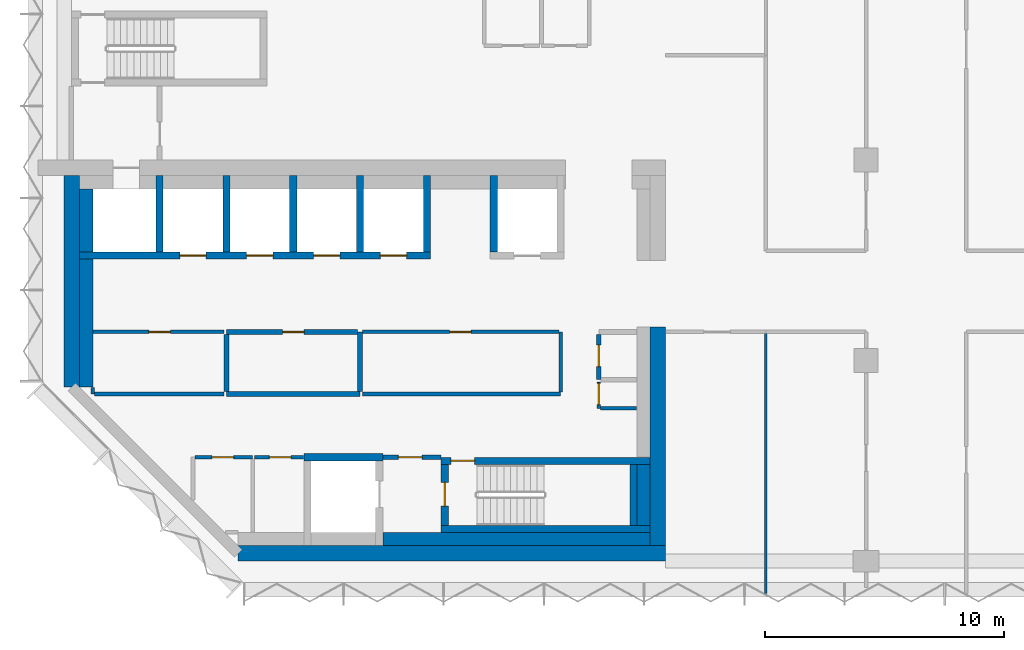
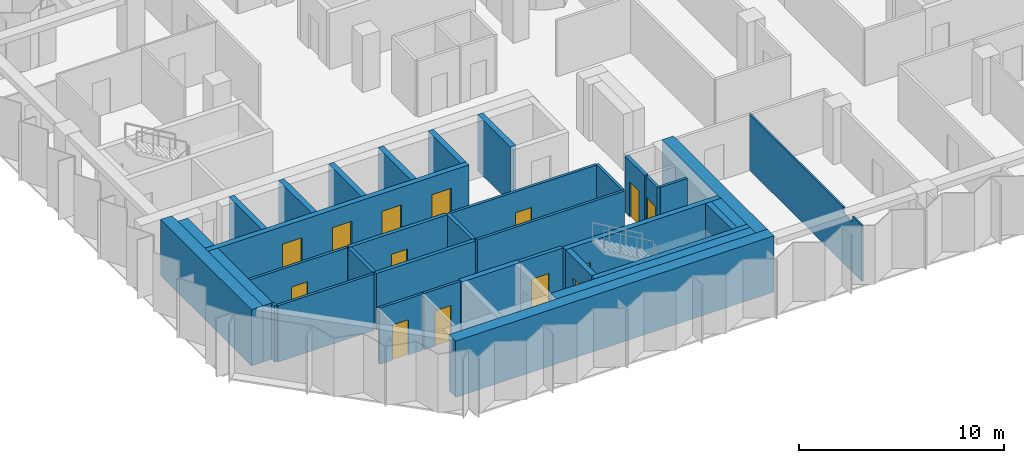
# One storey, part 5 of 10: 36 walls, 14 doors, 14 openings.
"""IFC4 building model written with IfcOpenShell, lengths in metres."""

from ifc_helpers import new_model, si_unit, direction, frame, frame_2d, origin, place, context, subcontext, project, spatial, polyline, rectangle, outline, extrude, material, layer, layer_set, type_object, element, fill, save


model = new_model("IFC4")

# Units and contexts
model_context = context("Model", 3, precision=1e-05, world=origin(), true_north=direction((0.0, 1.0)))
body_context = subcontext(model_context, "Body", "Model", "MODEL_VIEW")
ifc_project = project(units=[si_unit("LENGTHUNIT", "METRE"), si_unit("AREAUNIT", "SQUARE_METRE"), si_unit("VOLUMEUNIT", "CUBIC_METRE"), si_unit("PLANEANGLEUNIT", "RADIAN"), si_unit("MASSUNIT", "GRAM", prefix="KILO")], contexts=[model_context])

# Site, building, storey
site_placement = place(None, origin())
site = spatial("IfcSite", under=ifc_project, at=site_placement, CompositionType="ELEMENT")
building_placement = place(site_placement, origin())
building = spatial("IfcBuilding", under=site, at=building_placement, Name="Brevane Broadcast Tower", CompositionType="ELEMENT")
storey_placement = place(building_placement, frame((0.0, 0.0, 170.39990234375)))
storey = spatial("IfcBuildingStorey", under=building, at=storey_placement, Name="L42", CompositionType="ELEMENT", Elevation=170.39990234375)

# Walls
ifc_material_1 = material(Name="Concrete C32/40", Category="concrete")
ifc_layer_1 = layer(ifc_material_1, 0.550048828125)
ifc_layer_set_1 = layer_set([ifc_layer_1], Name="Core chase wall 550 mm")
wall_type_1 = type_object("IfcWallType", Name="Core chase wall 550 mm", PredefinedType="PARTITIONING", material=ifc_layer_set_1)
wall_1_placement = place(storey_placement, frame((0.925048828125, 7.286376953125, 0.0), z_axis=(0.0, 0.0, 1.0), x_axis=(0.0, 1.0, 0.0)))
element("IfcWall", 1, at=wall_1_placement, inside=storey, type_object=wall_type_1, Name="L42 chase wall LW-1", PredefinedType="PARTITIONING", context=body_context, shape_type="SweptSolid", body=[
    extrude(rectangle(XDim=5.363525390625, YDim=0.550048828125, at=frame_2d((2.681640625, 0.0))), origin(), (0.0, 0.0, 1.0), 3.35009765625),
])
wall_2_placement = place(storey_placement, frame((0.925048828125, 12.949951171875, 0.0), z_axis=(0.0, 0.0, 1.0), x_axis=(0.0, 1.0, 0.0)))
element("IfcWall", 2, at=wall_2_placement, inside=storey, type_object=wall_type_1, Name="L42 chase wall LW-2", PredefinedType="PARTITIONING", context=body_context, shape_type="SweptSolid", body=[
    extrude(rectangle(XDim=2.650146484375, YDim=0.550048828125, at=frame_2d((1.3251953125, 0.0))), origin(), (0.0, 0.0, 1.0), 3.35009765625),
])
wall_3_placement = place(storey_placement, frame((13.35009765625, 0.925048828125, 0.0), z_axis=(0.0, 0.0, 1.0), x_axis=(1.0, 0.0, 0.0)))
element("IfcWall", 3, at=wall_3_placement, inside=storey, type_object=wall_type_1, Name="L42 chase wall LS-2-2", PredefinedType="PARTITIONING", context=body_context, shape_type="SweptSolid", body=[
    extrude(rectangle(XDim=11.199951171875, YDim=0.550048828125, at=frame_2d((5.60009765625, 0.0))), origin(), (0.0, 0.0, 1.0), 3.35009765625),
])
wall_4_placement = place(storey_placement, frame((24.27490234375, 1.5, 0.0), z_axis=(0.0, 0.0, 1.0), x_axis=(0.0, 1.0, 0.0)))
element("IfcWall", 4, at=wall_4_placement, inside=storey, type_object=wall_type_1, Name="L42 chase wall LE1-2-1", PredefinedType="PARTITIONING", context=body_context, shape_type="SweptSolid", body=[
    extrude(rectangle(XDim=2.550048828125, YDim=0.550048828125, at=frame_2d((1.27490234375, 0.0))), origin(), (0.0, 0.0, 1.0), 3.35009765625),
])

# Wall, opening, door
ifc_material_2 = material(Name="Gypsum board on steel studs", Category="steel")
ifc_layer_2 = layer(ifc_material_2, 0.14990234375)
ifc_layer_set_2 = layer_set([ifc_layer_2], Name="Core fire partition 150 mm")
wall_type_2 = type_object("IfcWallType", Name="Core fire partition 150 mm", PredefinedType="PARTITIONING", material=ifc_layer_set_2)
wall_5_placement = place(storey_placement, frame((5.47509765625, 4.35009765625, 0.0), z_axis=(0.0, 0.0, 1.0), x_axis=(1.0, 0.0, 0.0)))
wall_5 = element("IfcWall", 5, at=wall_5_placement, inside=storey, type_object=wall_type_2, Name="L42 partition wall P12", PredefinedType="PARTITIONING", context=body_context, shape_type="SweptSolid", body=[
    extrude(rectangle(XDim=2.4248046875, YDim=0.14990234375, at=frame_2d((1.21240234375, 0.0))), origin(), (0.0, 0.0, 1.0), 3.35009765625),
])
opening_1_placement = place(wall_5_placement, frame((0.72509765625, 0.0, 0.0)))
opening_1 = element("IfcOpeningElement", 6, at=opening_1_placement, cuts=wall_5, Name="Opening L42-K14", PredefinedType="OPENING", context=body_context, shape_type="SweptSolid", body=[
    extrude(rectangle(XDim=0.89990234375, YDim=2.10009765625, at=frame_2d((0.449951171875, 1.050048828125))), frame((0.0, 0.0849609375, 0.0), z_axis=(0.0, -1.0, 0.0), x_axis=(1.0, 0.0, 0.0)), (0.0, 0.0, 1.0), 0.169921875),
])
ifc_material_3 = material(Name="Timber", Category="wood")
door_type_1 = type_object("IfcDoorType", Name="Toilet door 900 x 2100", OperationType="SINGLE_SWING_LEFT", PredefinedType="DOOR", material=ifc_material_3)
door_1_placement = place(opening_1_placement, origin())
door_1 = element("IfcDoor", 7, at=door_1_placement, inside=storey, type_object=door_type_1, Name="Door L42-K14", OperationType="SINGLE_SWING_LEFT", OverallHeight=2.10009765625, OverallWidth=0.89990234375, PredefinedType="DOOR", context=body_context, shape_type="SweptSolid", body=[
    extrude(rectangle(XDim=0.89990234375, YDim=2.10009765625, at=frame_2d((0.449951171875, 1.050048828125))), frame((0.0, 0.02490234375, 0.0), z_axis=(0.0, -1.0, 0.0), x_axis=(1.0, 0.0, 0.0)), (0.0, 0.0, 1.0), 0.050048828125),
])
fill(opening_1, door_1)

wall_6_placement = place(storey_placement, frame((6.699951171875, 9.60009765625, 0.0), z_axis=(0.0, 0.0, 1.0), x_axis=(-1.0, 0.0, 0.0)))
wall_6 = element("IfcWall", 8, at=wall_6_placement, inside=storey, type_object=wall_type_2, Name="L42 partition wall P15", PredefinedType="PARTITIONING", context=body_context, shape_type="SweptSolid", body=[
    extrude(rectangle(XDim=5.488037109375, YDim=0.14990234375, at=frame_2d((2.744140625, 0.0))), origin(), (0.0, 0.0, 1.0), 3.35009765625),
])
opening_2_placement = place(wall_6_placement, frame((2.25, 0.0, 0.0)))
opening_2 = element("IfcOpeningElement", 9, at=opening_2_placement, cuts=wall_6, Name="Opening L42-K19", PredefinedType="OPENING", context=body_context, shape_type="SweptSolid", body=[
    extrude(rectangle(XDim=0.89990234375, YDim=2.10009765625, at=frame_2d((0.449951171875, 1.050048828125))), frame((0.0, 0.0849609375, 0.0), z_axis=(0.0, -1.0, 0.0), x_axis=(1.0, 0.0, 0.0)), (0.0, 0.0, 1.0), 0.169921875),
])
ifc_material_4 = material(Name="Steel", Category="steel")
door_type_2 = type_object("IfcDoorType", Name="Service room door 900 x 2100", OperationType="SINGLE_SWING_LEFT", PredefinedType="DOOR", material=ifc_material_4)
door_2_placement = place(opening_2_placement, origin())
door_2 = element("IfcDoor", 10, at=door_2_placement, inside=storey, type_object=door_type_2, Name="Door L42-K19", OperationType="SINGLE_SWING_RIGHT", OverallHeight=2.10009765625, OverallWidth=0.89990234375, PredefinedType="DOOR", context=body_context, shape_type="SweptSolid", body=[
    extrude(rectangle(XDim=0.89990234375, YDim=2.10009765625, at=frame_2d((0.449951171875, 1.050048828125))), frame((0.0, 0.02490234375, 0.0), z_axis=(0.0, -1.0, 0.0), x_axis=(1.0, 0.0, 0.0)), (0.0, 0.0, 1.0), 0.050048828125),
])
fill(opening_2, door_2)

# Walls
wall_7_placement = place(storey_placement, frame((1.199951171875, 7.2744140625, 0.0), z_axis=(0.0, 0.0, 1.0), x_axis=(0.0, -1.0, 0.0)))
element("IfcWall", 11, at=wall_7_placement, inside=storey, type_object=wall_type_2, Name="L42 partition wall P16", PredefinedType="PARTITIONING", context=body_context, shape_type="SweptSolid", body=[
    extrude(rectangle(XDim=0.2744140625, YDim=0.14990234375, at=frame_2d((0.13720703125, 0.0))), origin(), (0.0, 0.0, 1.0), 3.35009765625),
])
wall_8_placement = place(storey_placement, frame((1.27490234375, 7.0, 0.0), z_axis=(0.0, 0.0, 1.0), x_axis=(1.0, 0.0, 0.0)))
element("IfcWall", 12, at=wall_8_placement, inside=storey, type_object=wall_type_2, Name="L42 partition wall P17", PredefinedType="PARTITIONING", context=body_context, shape_type="SweptSolid", body=[
    extrude(rectangle(XDim=5.425048828125, YDim=0.14990234375, at=frame_2d((2.71240234375, 0.0))), origin(), (0.0, 0.0, 1.0), 3.35009765625),
])

# Wall, opening, door
wall_9_placement = place(storey_placement, frame((10.0380859375, 4.35009765625, 0.0), z_axis=(0.0, 0.0, 1.0), x_axis=(-1.0, 0.0, 0.0)))
wall_9 = element("IfcWall", 13, at=wall_9_placement, inside=storey, type_object=wall_type_2, Name="L42 partition wall P18", PredefinedType="PARTITIONING", context=body_context, shape_type="SweptSolid", body=[
    extrude(rectangle(XDim=2.06298828125, YDim=0.14990234375, at=frame_2d((1.031494140625, 0.0))), origin(), (0.0, 0.0, 1.0), 3.35009765625),
])
opening_3_placement = place(wall_9_placement, frame((0.5380859375, 0.0, 0.0)))
opening_3 = element("IfcOpeningElement", 14, at=opening_3_placement, cuts=wall_9, Name="Opening L42-K15", PredefinedType="OPENING", context=body_context, shape_type="SweptSolid", body=[
    extrude(rectangle(XDim=0.89990234375, YDim=2.10009765625, at=frame_2d((0.449951171875, 1.050048828125))), frame((0.0, 0.0849609375, 0.0), z_axis=(0.0, -1.0, 0.0), x_axis=(1.0, 0.0, 0.0)), (0.0, 0.0, 1.0), 0.169921875),
])
door_3_placement = place(opening_3_placement, origin())
door_3 = element("IfcDoor", 15, at=door_3_placement, inside=storey, type_object=door_type_1, Name="Door L42-K15", OperationType="SINGLE_SWING_RIGHT", OverallHeight=2.10009765625, OverallWidth=0.89990234375, PredefinedType="DOOR", context=body_context, shape_type="SweptSolid", body=[
    extrude(rectangle(XDim=0.89990234375, YDim=2.10009765625, at=frame_2d((0.449951171875, 1.050048828125))), frame((0.0, 0.02490234375, 0.0), z_axis=(0.0, -1.0, 0.0), x_axis=(1.0, 0.0, 0.0)), (0.0, 0.0, 1.0), 0.050048828125),
])
fill(opening_3, door_3)

# Walls
wall_10_placement = place(storey_placement, frame((12.5, 7.0, 0.0), z_axis=(0.0, 0.0, 1.0), x_axis=(1.0, 0.0, 0.0)))
element("IfcWall", 16, at=wall_10_placement, inside=storey, type_object=wall_type_2, Name="L42 partition wall P19", PredefinedType="PARTITIONING", context=body_context, shape_type="SweptSolid", body=[
    extrude(rectangle(XDim=8.300048828125, YDim=0.14990234375, at=frame_2d((4.14990234375, 0.0))), origin(), (0.0, 0.0, 1.0), 3.35009765625),
])
wall_11_placement = place(storey_placement, frame((20.800048828125, 7.074951171875, 0.0), z_axis=(0.0, 0.0, 1.0), x_axis=(0.0, 1.0, 0.0)))
element("IfcWall", 17, at=wall_11_placement, inside=storey, type_object=wall_type_2, Name="L42 partition wall P20", PredefinedType="PARTITIONING", context=body_context, shape_type="SweptSolid", body=[
    extrude(rectangle(XDim=2.525146484375, YDim=0.14990234375, at=frame_2d((1.2626953125, 0.0))), origin(), (0.0, 0.0, 1.0), 3.35009765625),
])

# Wall, opening, door
wall_12_placement = place(storey_placement, frame((20.72509765625, 9.60009765625, 0.0), z_axis=(0.0, 0.0, 1.0), x_axis=(-1.0, 0.0, 0.0)))
wall_12 = element("IfcWall", 18, at=wall_12_placement, inside=storey, type_object=wall_type_2, Name="L42 partition wall P21", PredefinedType="PARTITIONING", context=body_context, shape_type="SweptSolid", body=[
    extrude(rectangle(XDim=8.22509765625, YDim=0.14990234375, at=frame_2d((4.112548828125, 0.0))), origin(), (0.0, 0.0, 1.0), 3.35009765625),
])
opening_4_placement = place(wall_12_placement, frame((3.675048828125, 0.0, 0.0)))
opening_4 = element("IfcOpeningElement", 19, at=opening_4_placement, cuts=wall_12, Name="Opening L42-K21", PredefinedType="OPENING", context=body_context, shape_type="SweptSolid", body=[
    extrude(rectangle(XDim=0.89990234375, YDim=2.10009765625, at=frame_2d((0.449951171875, 1.050048828125))), frame((0.0, 0.0849609375, 0.0), z_axis=(0.0, -1.0, 0.0), x_axis=(1.0, 0.0, 0.0)), (0.0, 0.0, 1.0), 0.169921875),
])
door_4_placement = place(opening_4_placement, origin())
door_4 = element("IfcDoor", 20, at=door_4_placement, inside=storey, type_object=door_type_2, Name="Door L42-K21", OperationType="SINGLE_SWING_RIGHT", OverallHeight=2.10009765625, OverallWidth=0.89990234375, PredefinedType="DOOR", context=body_context, shape_type="SweptSolid", body=[
    extrude(rectangle(XDim=0.89990234375, YDim=2.10009765625, at=frame_2d((0.449951171875, 1.050048828125))), frame((0.0, 0.02490234375, 0.0), z_axis=(0.0, -1.0, 0.0), x_axis=(1.0, 0.0, 0.0)), (0.0, 0.0, 1.0), 0.050048828125),
])
fill(opening_4, door_4)

wall_13_placement = place(storey_placement, frame((22.39990234375, 7.5, 0.0), z_axis=(0.0, 0.0, 1.0), x_axis=(0.0, -1.0, 0.0)))
wall_13 = element("IfcWall", 21, at=wall_13_placement, inside=storey, type_object=wall_type_2, Name="L42 partition wall P29", PredefinedType="PARTITIONING", context=body_context, shape_type="SweptSolid", body=[
    extrude(rectangle(XDim=1.10009765625, YDim=0.14990234375, at=frame_2d((0.550048828125, 0.0))), origin(), (0.0, 0.0, 1.0), 3.35009765625),
])
opening_5_placement = place(wall_13_placement, frame((0.050048828125, 0.0, 0.0)))
opening_5 = element("IfcOpeningElement", 22, at=opening_5_placement, cuts=wall_13, Name="Opening L42-K17", PredefinedType="OPENING", context=body_context, shape_type="SweptSolid", body=[
    extrude(rectangle(XDim=0.89990234375, YDim=2.10009765625, at=frame_2d((0.449951171875, 1.050048828125))), frame((0.0, 0.0849609375, 0.0), z_axis=(0.0, -1.0, 0.0), x_axis=(1.0, 0.0, 0.0)), (0.0, 0.0, 1.0), 0.169921875),
])
door_5_placement = place(opening_5_placement, origin())
door_5 = element("IfcDoor", 23, at=door_5_placement, inside=storey, type_object=door_type_2, Name="Door L42-K17", OperationType="SINGLE_SWING_RIGHT", OverallHeight=2.10009765625, OverallWidth=0.89990234375, PredefinedType="DOOR", context=body_context, shape_type="SweptSolid", body=[
    extrude(rectangle(XDim=0.89990234375, YDim=2.10009765625, at=frame_2d((0.449951171875, 1.050048828125))), frame((0.0, 0.02490234375, 0.0), z_axis=(0.0, -1.0, 0.0), x_axis=(1.0, 0.0, 0.0)), (0.0, 0.0, 1.0), 0.050048828125),
])
fill(opening_5, door_5)

# Wall
wall_14_placement = place(storey_placement, frame((22.47509765625, 6.39990234375, 0.0), z_axis=(0.0, 0.0, 1.0), x_axis=(1.0, 0.0, 0.0)))
element("IfcWall", 24, at=wall_14_placement, inside=storey, type_object=wall_type_2, Name="L42 partition wall P30", PredefinedType="PARTITIONING", context=body_context, shape_type="SweptSolid", body=[
    extrude(rectangle(XDim=1.512939453125, YDim=0.14990234375, at=frame_2d((0.75634765625, 0.0))), origin(), (0.0, 0.0, 1.0), 3.35009765625),
])

# Wall, opening, door
ifc_layer_3 = layer(ifc_material_2, 0.199951171875)
ifc_layer_set_3 = layer_set([ifc_layer_3], Name="Core fire partition 200 mm")
wall_type_3 = type_object("IfcWallType", Name="Core fire partition 200 mm", PredefinedType="PARTITIONING", material=ifc_layer_set_3)
wall_15_placement = place(storey_placement, frame((13.362060546875, 4.35009765625, 0.0), z_axis=(0.0, 0.0, 1.0), x_axis=(1.0, 0.0, 0.0)))
wall_15 = element("IfcWall", 25, at=wall_15_placement, inside=storey, type_object=wall_type_3, Name="L42 partition wall P03", PredefinedType="PARTITIONING", context=body_context, shape_type="SweptSolid", body=[
    extrude(rectangle(XDim=2.426025390625, YDim=0.199951171875, at=frame_2d((1.212890625, 0.0))), origin(), (0.0, 0.0, 1.0), 3.35009765625),
])
opening_6_placement = place(wall_15_placement, frame((0.637939453125, 0.0, 0.0)))
opening_6 = element("IfcOpeningElement", 26, at=opening_6_placement, cuts=wall_15, Name="Opening L42-K16", PredefinedType="OPENING", context=body_context, shape_type="SweptSolid", body=[
    extrude(rectangle(XDim=1.0, YDim=2.10009765625, at=frame_2d((0.5, 1.050048828125))), frame((0.0, 0.10986328125, 0.0), z_axis=(0.0, -1.0, 0.0), x_axis=(1.0, 0.0, 0.0)), (0.0, 0.0, 1.0), 0.219970703125),
])
door_type_3 = type_object("IfcDoorType", Name="Stair door 1000 x 2100", OperationType="SINGLE_SWING_LEFT", PredefinedType="DOOR", material=ifc_material_4)
door_6_placement = place(opening_6_placement, origin())
door_6 = element("IfcDoor", 27, at=door_6_placement, inside=storey, type_object=door_type_3, Name="Door L42-K16", OperationType="SINGLE_SWING_LEFT", OverallHeight=2.10009765625, OverallWidth=1.0, PredefinedType="DOOR", context=body_context, shape_type="SweptSolid", body=[
    extrude(rectangle(XDim=1.0, YDim=2.10009765625, at=frame_2d((0.5, 1.050048828125))), frame((0.0, 0.02490234375, 0.0), z_axis=(0.0, -1.0, 0.0), x_axis=(1.0, 0.0, 0.0)), (0.0, 0.0, 1.0), 0.050048828125),
])
fill(opening_6, door_6)

wall_16_placement = place(storey_placement, frame((22.39990234375, 9.5, 0.0), z_axis=(0.0, 0.0, 1.0), x_axis=(0.0, -1.0, 0.0)))
wall_16 = element("IfcWall", 28, at=wall_16_placement, inside=storey, type_object=wall_type_3, Name="L42 partition wall P05", PredefinedType="PARTITIONING", context=body_context, shape_type="SweptSolid", body=[
    extrude(rectangle(XDim=1.89990234375, YDim=0.199951171875, at=frame_2d((0.949951171875, 0.0))), origin(), (0.0, 0.0, 1.0), 3.35009765625),
])
opening_7_placement = place(wall_16_placement, frame((0.449951171875, 0.0, 0.0)))
opening_7 = element("IfcOpeningElement", 29, at=opening_7_placement, cuts=wall_16, Name="Opening L42-K18", PredefinedType="OPENING", context=body_context, shape_type="SweptSolid", body=[
    extrude(rectangle(XDim=0.89990234375, YDim=2.10009765625, at=frame_2d((0.449951171875, 1.050048828125))), frame((0.0, 0.10986328125, 0.0), z_axis=(0.0, -1.0, 0.0), x_axis=(1.0, 0.0, 0.0)), (0.0, 0.0, 1.0), 0.219970703125),
])
door_7_placement = place(opening_7_placement, origin())
door_7 = element("IfcDoor", 30, at=door_7_placement, inside=storey, type_object=door_type_2, Name="Door L42-K18", OperationType="SINGLE_SWING_LEFT", OverallHeight=2.10009765625, OverallWidth=0.89990234375, PredefinedType="DOOR", context=body_context, shape_type="SweptSolid", body=[
    extrude(rectangle(XDim=0.89990234375, YDim=2.10009765625, at=frame_2d((0.449951171875, 1.050048828125))), frame((0.0, 0.02490234375, 0.0), z_axis=(0.0, -1.0, 0.0), x_axis=(1.0, 0.0, 0.0)), (0.0, 0.0, 1.0), 0.050048828125),
])
fill(opening_7, door_7)

# Walls
wall_17_placement = place(storey_placement, frame((6.800048828125, 7.0, 0.0), z_axis=(0.0, 0.0, 1.0), x_axis=(1.0, 0.0, 0.0)))
element("IfcWall", 31, at=wall_17_placement, inside=storey, type_object=wall_type_3, Name="L42 partition wall P07", PredefinedType="PARTITIONING", context=body_context, shape_type="SweptSolid", body=[
    extrude(rectangle(XDim=5.599853515625, YDim=0.199951171875, at=frame_2d((2.7998046875, 0.0))), origin(), (0.0, 0.0, 1.0), 3.35009765625),
])
wall_18_placement = place(storey_placement, frame((12.39990234375, 7.10009765625, 0.0), z_axis=(0.0, 0.0, 1.0), x_axis=(0.0, 1.0, 0.0)))
element("IfcWall", 32, at=wall_18_placement, inside=storey, type_object=wall_type_3, Name="L42 partition wall P08", PredefinedType="PARTITIONING", context=body_context, shape_type="SweptSolid", body=[
    extrude(rectangle(XDim=2.5, YDim=0.199951171875, at=frame_2d((1.25, 0.0))), origin(), (0.0, 0.0, 1.0), 3.35009765625),
])

# Wall, opening, door
wall_19_placement = place(storey_placement, frame((12.300048828125, 9.60009765625, 0.0), z_axis=(0.0, 0.0, 1.0), x_axis=(-1.0, 0.0, 0.0)))
wall_19 = element("IfcWall", 33, at=wall_19_placement, inside=storey, type_object=wall_type_3, Name="L42 partition wall P09", PredefinedType="PARTITIONING", context=body_context, shape_type="SweptSolid", body=[
    extrude(rectangle(XDim=5.5, YDim=0.199951171875, at=frame_2d((2.75, 0.0))), origin(), (0.0, 0.0, 1.0), 3.35009765625),
])
opening_8_placement = place(wall_19_placement, frame((2.25, 0.0, 0.0)))
opening_8 = element("IfcOpeningElement", 34, at=opening_8_placement, cuts=wall_19, Name="Opening L42-K20", PredefinedType="OPENING", context=body_context, shape_type="SweptSolid", body=[
    extrude(rectangle(XDim=0.89990234375, YDim=2.10009765625, at=frame_2d((0.449951171875, 1.050048828125))), frame((0.0, 0.10986328125, 0.0), z_axis=(0.0, -1.0, 0.0), x_axis=(1.0, 0.0, 0.0)), (0.0, 0.0, 1.0), 0.219970703125),
])
door_8_placement = place(opening_8_placement, origin())
door_8 = element("IfcDoor", 35, at=door_8_placement, inside=storey, type_object=door_type_2, Name="Door L42-K20", OperationType="SINGLE_SWING_LEFT", OverallHeight=2.10009765625, OverallWidth=0.89990234375, PredefinedType="DOOR", context=body_context, shape_type="SweptSolid", body=[
    extrude(rectangle(XDim=0.89990234375, YDim=2.10009765625, at=frame_2d((0.449951171875, 1.050048828125))), frame((0.0, 0.02490234375, 0.0), z_axis=(0.0, -1.0, 0.0), x_axis=(1.0, 0.0, 0.0)), (0.0, 0.0, 1.0), 0.050048828125),
])
fill(opening_8, door_8)

# Wall
wall_20_placement = place(storey_placement, frame((6.800048828125, 9.5, 0.0), z_axis=(0.0, 0.0, 1.0), x_axis=(0.0, -1.0, 0.0)))
element("IfcWall", 36, at=wall_20_placement, inside=storey, type_object=wall_type_3, Name="L42 partition wall P10", PredefinedType="PARTITIONING", context=body_context, shape_type="SweptSolid", body=[
    extrude(rectangle(XDim=2.39990234375, YDim=0.199951171875, at=frame_2d((1.199951171875, 0.0))), origin(), (0.0, 0.0, 1.0), 3.35009765625),
])

# Wall, openings, doors
ifc_material_5 = material(Name="Concrete C60/75", Category="concrete")
ifc_layer_4 = layer(ifc_material_5, 0.300048828125)
ifc_layer_set_4 = layer_set([ifc_layer_4], Name="Core wall 300 mm C60/75")
wall_type_4 = type_object("IfcWallType", Name="Core wall 300 mm C60/75", PredefinedType="SHEAR", material=ifc_layer_set_4)
wall_21_placement = place(storey_placement, frame((0.64990234375, 12.800048828125, 0.0), z_axis=(0.0, 0.0, 1.0), x_axis=(1.0, 0.0, 0.0)))
wall_21 = element("IfcWall", 37, at=wall_21_placement, inside=storey, type_object=wall_type_4, Name="L42 shaft wall SH-N012-front", PredefinedType="SHEAR", context=body_context, shape_type="SweptSolid", body=[
    extrude(rectangle(XDim=14.7001953125, YDim=0.300048828125, at=frame_2d((7.35009765625, 0.0))), origin(), (0.0, 0.0, 1.0), 3.35009765625),
])
opening_9_placement = place(wall_21_placement, frame((4.199951171875, 0.0, 0.0)))
opening_9 = element("IfcOpeningElement", 38, at=opening_9_placement, cuts=wall_21, Name="Opening LD", PredefinedType="OPENING", context=body_context, shape_type="SweptSolid", body=[
    extrude(rectangle(XDim=1.10009765625, YDim=2.300048828125, at=frame_2d((0.550048828125, 1.14990234375))), frame((0.0, 0.159912109375, 0.0), z_axis=(0.0, -1.0, 0.0), x_axis=(1.0, 0.0, 0.0)), (0.0, 0.0, 1.0), 0.320068359375),
])
opening_10_placement = place(wall_21_placement, frame((7.0, 0.0, 0.0)))
opening_10 = element("IfcOpeningElement", 39, at=opening_10_placement, cuts=wall_21, Name="Opening LD", PredefinedType="OPENING", context=body_context, shape_type="SweptSolid", body=[
    extrude(rectangle(XDim=1.10009765625, YDim=2.300048828125, at=frame_2d((0.550048828125, 1.14990234375))), frame((0.0, 0.159912109375, 0.0), z_axis=(0.0, -1.0, 0.0), x_axis=(1.0, 0.0, 0.0)), (0.0, 0.0, 1.0), 0.320068359375),
])
opening_11_placement = place(wall_21_placement, frame((9.800048828125, 0.0, 0.0)))
opening_11 = element("IfcOpeningElement", 40, at=opening_11_placement, cuts=wall_21, Name="Opening LD", PredefinedType="OPENING", context=body_context, shape_type="SweptSolid", body=[
    extrude(rectangle(XDim=1.10009765625, YDim=2.300048828125, at=frame_2d((0.550048828125, 1.14990234375))), frame((0.0, 0.159912109375, 0.0), z_axis=(0.0, -1.0, 0.0), x_axis=(1.0, 0.0, 0.0)), (0.0, 0.0, 1.0), 0.320068359375),
])
opening_12_placement = place(wall_21_placement, frame((12.60009765625, 0.0, 0.0)))
opening_12 = element("IfcOpeningElement", 41, at=opening_12_placement, cuts=wall_21, Name="Opening LD", PredefinedType="OPENING", context=body_context, shape_type="SweptSolid", body=[
    extrude(rectangle(XDim=1.10009765625, YDim=2.300048828125, at=frame_2d((0.550048828125, 1.14990234375))), frame((0.0, 0.159912109375, 0.0), z_axis=(0.0, -1.0, 0.0), x_axis=(1.0, 0.0, 0.0)), (0.0, 0.0, 1.0), 0.320068359375),
])
ifc_material_6 = material(Name="Stainless steel", Category="steel")
door_type_4 = type_object("IfcDoorType", Name="Lift landing door", OperationType="SLIDING_TO_LEFT", PredefinedType="DOOR", material=ifc_material_6)
door_9_placement = place(opening_9_placement, origin())
door_9 = element("IfcDoor", 42, at=door_9_placement, inside=storey, type_object=door_type_4, Name="Landing door HR1 L42", OperationType="SLIDING_TO_LEFT", OverallHeight=2.300048828125, OverallWidth=1.10009765625, PredefinedType="DOOR", context=body_context, shape_type="SweptSolid", body=[
    extrude(rectangle(XDim=1.10009765625, YDim=2.300048828125, at=frame_2d((0.550048828125, 1.14990234375))), frame((0.0, 0.02490234375, 0.0), z_axis=(0.0, -1.0, 0.0), x_axis=(1.0, 0.0, 0.0)), (0.0, 0.0, 1.0), 0.050048828125),
])
fill(opening_9, door_9)
door_10_placement = place(opening_10_placement, origin())
door_10 = element("IfcDoor", 43, at=door_10_placement, inside=storey, type_object=door_type_4, Name="Landing door HR2 L42", OperationType="SLIDING_TO_LEFT", OverallHeight=2.300048828125, OverallWidth=1.10009765625, PredefinedType="DOOR", context=body_context, shape_type="SweptSolid", body=[
    extrude(rectangle(XDim=1.10009765625, YDim=2.300048828125, at=frame_2d((0.550048828125, 1.14990234375))), frame((0.0, 0.02490234375, 0.0), z_axis=(0.0, -1.0, 0.0), x_axis=(1.0, 0.0, 0.0)), (0.0, 0.0, 1.0), 0.050048828125),
])
fill(opening_10, door_10)
door_11_placement = place(opening_11_placement, origin())
door_11 = element("IfcDoor", 44, at=door_11_placement, inside=storey, type_object=door_type_4, Name="Landing door HR3 L42", OperationType="SLIDING_TO_LEFT", OverallHeight=2.300048828125, OverallWidth=1.10009765625, PredefinedType="DOOR", context=body_context, shape_type="SweptSolid", body=[
    extrude(rectangle(XDim=1.10009765625, YDim=2.300048828125, at=frame_2d((0.550048828125, 1.14990234375))), frame((0.0, 0.02490234375, 0.0), z_axis=(0.0, -1.0, 0.0), x_axis=(1.0, 0.0, 0.0)), (0.0, 0.0, 1.0), 0.050048828125),
])
fill(opening_11, door_11)
door_12_placement = place(opening_12_placement, origin())
door_12 = element("IfcDoor", 45, at=door_12_placement, inside=storey, type_object=door_type_4, Name="Landing door HR4 L42", OperationType="SLIDING_TO_LEFT", OverallHeight=2.300048828125, OverallWidth=1.10009765625, PredefinedType="DOOR", context=body_context, shape_type="SweptSolid", body=[
    extrude(rectangle(XDim=1.10009765625, YDim=2.300048828125, at=frame_2d((0.550048828125, 1.14990234375))), frame((0.0, 0.02490234375, 0.0), z_axis=(0.0, -1.0, 0.0), x_axis=(1.0, 0.0, 0.0)), (0.0, 0.0, 1.0), 0.050048828125),
])
fill(opening_12, door_12)

# Walls
for number, where, z_axis, x_axis, name in (
    (46, (4.0, 12.949951171875, 0.0), (0.0, 0.0, 1.0), (0.0, 1.0, 0.0), "L42 shaft wall SH-N-P040"),
    (47, (6.800048828125, 12.949951171875, 0.0), (0.0, 0.0, 1.0), (0.0, 1.0, 0.0), "L42 shaft wall SH-N-P068"),
    (48, (9.60009765625, 12.949951171875, 0.0), (0.0, 0.0, 1.0), (0.0, 1.0, 0.0), "L42 shaft wall SH-N-P096"),
    (49, (12.39990234375, 12.949951171875, 0.0), (0.0, 0.0, 1.0), (0.0, 1.0, 0.0), "L42 shaft wall SH-N-P124"),
    (50, (15.199951171875, 12.949951171875, 0.0), (0.0, 0.0, 1.0), (0.0, 1.0, 0.0), "L42 shaft wall SH-N-P152"),
    (51, (18.0, 12.949951171875, 0.0), (0.0, 0.0, 1.0), (0.0, 1.0, 0.0), "L42 shaft wall SH-N-P180"),
):
    element("IfcWall", number, at=place(storey_placement, frame(where, z_axis=z_axis, x_axis=x_axis)), inside=storey, type_object=wall_type_4, Name=name, PredefinedType="SHEAR", context=body_context, shape_type="SweptSolid", body=[
        extrude(rectangle(XDim=3.199951171875, YDim=0.300048828125, at=frame_2d((1.60009765625, 0.0))), origin(), (0.0, 0.0, 1.0), 3.35009765625),
    ])
wall_22_placement = place(storey_placement, frame((10.050048828125, 4.35009765625, 0.0), z_axis=(0.0, 0.0, 1.0), x_axis=(1.0, 0.0, 0.0)))
element("IfcWall", 52, at=wall_22_placement, inside=storey, type_object=wall_type_4, Name="L42 shaft wall FF2-N", PredefinedType="SHEAR", context=body_context, shape_type="SweptSolid", body=[
    extrude(rectangle(XDim=3.300048828125, YDim=0.300048828125, at=frame_2d((1.64990234375, 0.0))), origin(), (0.0, 0.0, 1.0), 3.35009765625),
])
wall_23_placement = place(storey_placement, frame((15.800048828125, 1.35009765625, 0.0), z_axis=(0.0, 0.0, 1.0), x_axis=(1.0, 0.0, 0.0)))
element("IfcWall", 53, at=wall_23_placement, inside=storey, type_object=wall_type_4, Name="L42 stair wall ST-2-S", PredefinedType="SHEAR", context=body_context, shape_type="SweptSolid", body=[
    extrude(rectangle(XDim=8.75, YDim=0.300048828125, at=frame_2d((4.375, 0.0))), origin(), (0.0, 0.0, 1.0), 3.35009765625),
])

# Wall, opening, door
wall_24_placement = place(storey_placement, frame((15.800048828125, 4.199951171875, 0.0), z_axis=(0.0, 0.0, 1.0), x_axis=(1.0, 0.0, 0.0)))
wall_24 = element("IfcWall", 54, at=wall_24_placement, inside=storey, type_object=wall_type_4, Name="L42 stair wall ST-2-N", PredefinedType="SHEAR", context=body_context, shape_type="SweptSolid", body=[
    extrude(rectangle(XDim=8.75, YDim=0.300048828125, at=frame_2d((4.375, 0.0))), origin(), (0.0, 0.0, 1.0), 3.35009765625),
])
opening_13_placement = place(wall_24_placement, frame((0.39990234375, 0.0, 0.0)))
opening_13 = element("IfcOpeningElement", 55, at=opening_13_placement, cuts=wall_24, Name="Opening L42-K11", PredefinedType="OPENING", context=body_context, shape_type="SweptSolid", body=[
    extrude(rectangle(XDim=1.0, YDim=2.10009765625, at=frame_2d((0.5, 1.050048828125))), frame((0.0, 0.159912109375, 0.0), z_axis=(0.0, -1.0, 0.0), x_axis=(1.0, 0.0, 0.0)), (0.0, 0.0, 1.0), 0.320068359375),
])
door_13_placement = place(opening_13_placement, origin())
door_13 = element("IfcDoor", 56, at=door_13_placement, inside=storey, type_object=door_type_3, Name="Door L42-K11", OperationType="SINGLE_SWING_RIGHT", OverallHeight=2.10009765625, OverallWidth=1.0, PredefinedType="DOOR", context=body_context, shape_type="SweptSolid", body=[
    extrude(rectangle(XDim=1.0, YDim=2.10009765625, at=frame_2d((0.5, 1.050048828125))), frame((0.0, 0.02490234375, 0.0), z_axis=(0.0, -1.0, 0.0), x_axis=(1.0, 0.0, 0.0)), (0.0, 0.0, 1.0), 0.050048828125),
])
fill(opening_13, door_13)

wall_25_placement = place(storey_placement, frame((15.949951171875, 1.5, 0.0), z_axis=(0.0, 0.0, 1.0), x_axis=(0.0, 1.0, 0.0)))
wall_25 = element("IfcWall", 57, at=wall_25_placement, inside=storey, type_object=wall_type_4, Name="L42 stair wall ST-2-W", PredefinedType="SHEAR", context=body_context, shape_type="SweptSolid", body=[
    extrude(rectangle(XDim=2.550048828125, YDim=0.300048828125, at=frame_2d((1.27490234375, 0.0))), origin(), (0.0, 0.0, 1.0), 3.35009765625),
])
opening_14_placement = place(wall_25_placement, frame((0.800048828125, 0.0, 0.0)))
opening_14 = element("IfcOpeningElement", 58, at=opening_14_placement, cuts=wall_25, Name="Opening L42-K10", PredefinedType="OPENING", context=body_context, shape_type="SweptSolid", body=[
    extrude(rectangle(XDim=1.0, YDim=2.10009765625, at=frame_2d((0.5, 1.050048828125))), frame((0.0, 0.159912109375, 0.0), z_axis=(0.0, -1.0, 0.0), x_axis=(1.0, 0.0, 0.0)), (0.0, 0.0, 1.0), 0.320068359375),
])
door_14_placement = place(opening_14_placement, origin())
door_14 = element("IfcDoor", 59, at=door_14_placement, inside=storey, type_object=door_type_3, Name="Door L42-K10", OperationType="SINGLE_SWING_LEFT", OverallHeight=2.10009765625, OverallWidth=1.0, PredefinedType="DOOR", context=body_context, shape_type="SweptSolid", body=[
    extrude(rectangle(XDim=1.0, YDim=2.10009765625, at=frame_2d((0.5, 1.050048828125))), frame((0.0, 0.02490234375, 0.0), z_axis=(0.0, -1.0, 0.0), x_axis=(1.0, 0.0, 0.0)), (0.0, 0.0, 1.0), 0.050048828125),
])
fill(opening_14, door_14)

# Walls
wall_26_placement = place(storey_placement, frame((23.85009765625, 1.5, 0.0), z_axis=(0.0, 0.0, 1.0), x_axis=(0.0, 1.0, 0.0)))
element("IfcWall", 60, at=wall_26_placement, inside=storey, type_object=wall_type_4, Name="L42 stair wall ST-2-E", PredefinedType="SHEAR", context=body_context, shape_type="SweptSolid", body=[
    extrude(rectangle(XDim=2.550048828125, YDim=0.300048828125, at=frame_2d((1.27490234375, 0.0))), origin(), (0.0, 0.0, 1.0), 3.35009765625),
])
ifc_layer_5 = layer(ifc_material_5, 0.64990234375)
ifc_layer_set_5 = layer_set([ifc_layer_5], Name="Core wall 650 mm C60/75")
wall_type_5 = type_object("IfcWallType", Name="Core wall 650 mm C60/75", PredefinedType="SHEAR", material=ifc_layer_set_5)
wall_27_placement = place(storey_placement, frame((7.286376953125, 0.324951171875, 0.0), z_axis=(0.0, 0.0, 1.0), x_axis=(1.0, 0.0, 0.0)))
element("IfcWall", 61, at=wall_27_placement, inside=storey, type_object=wall_type_5, Name="L42 outer wall WS", PredefinedType="SHEAR", context=body_context, shape_type="SweptSolid", body=[
    extrude(rectangle(XDim=17.91357421875, YDim=0.64990234375, at=frame_2d((8.956787109375, 0.0))), origin(), (0.0, 0.0, 1.0), 3.35009765625),
])
wall_28_placement = place(storey_placement, frame((0.324951171875, 7.286376953125, 0.0), z_axis=(0.0, 0.0, 1.0), x_axis=(0.0, 1.0, 0.0)))
element("IfcWall", 62, at=wall_28_placement, inside=storey, type_object=wall_type_5, Name="L42 outer wall WW", PredefinedType="SHEAR", context=body_context, shape_type="SweptSolid", body=[
    extrude(rectangle(XDim=8.863525390625, YDim=0.64990234375, at=frame_2d((4.431640625, 0.0))), origin(), (0.0, 0.0, 1.0), 3.35009765625),
])
wall_29_placement = place(storey_placement, frame((24.875, 0.64990234375, 0.0), z_axis=(0.0, 0.0, 1.0), x_axis=(0.0, 1.0, 0.0)))
element("IfcWall", 63, at=wall_29_placement, inside=storey, type_object=wall_type_5, Name="L42 outer wall WE1", PredefinedType="SHEAR", context=body_context, shape_type="SweptSolid", body=[
    extrude(rectangle(XDim=9.150146484375, YDim=0.64990234375, at=frame_2d((4.5751953125, 0.0))), origin(), (0.0, 0.0, 1.0), 3.35009765625),
])
ifc_material_7 = material(Name="Gypsum board partition")
ifc_layer_6 = layer(ifc_material_7, 0.10009765625)
ifc_layer_set_6 = layer_set([ifc_layer_6], Name="PARTITION 100 STUD")
wall_type_6 = type_object("IfcWallType", Name="PARTITION 100 STUD", PredefinedType="PARTITIONING", material=ifc_layer_set_6)
wall_30_placement = place(storey_placement, frame((29.39990234375, 9.60009765625, 0.0), z_axis=(0.0, 0.0, 1.0), x_axis=(0.0, -1.0, 0.0)))
element("IfcWall", 64, at=wall_30_placement, inside=storey, type_object=wall_type_6, Name="Partition G12-022", PredefinedType="PARTITIONING", context=body_context, shape_type="SweptSolid", body=[
    extrude(outline(polyline([(0.0, 0.0), (10.965087890625, 0.0), (10.965087890625, 3.330078125), (10.699951171875, 3.330078125), (10.050048828125, 3.330078125), (10.048095703125, 2.97998046875), (9.152099609375, 2.97998046875), (9.14990234375, 3.330078125), (0.0, 3.330078125), (0.0, 0.0)])), frame((0.0, 0.050048828125, 0.0), z_axis=(0.0, -1.0, 0.0), x_axis=(1.0, 0.0, 0.0)), (0.0, 0.0, 1.0), 0.10009765625),
])

save(model, "model.ifc")
